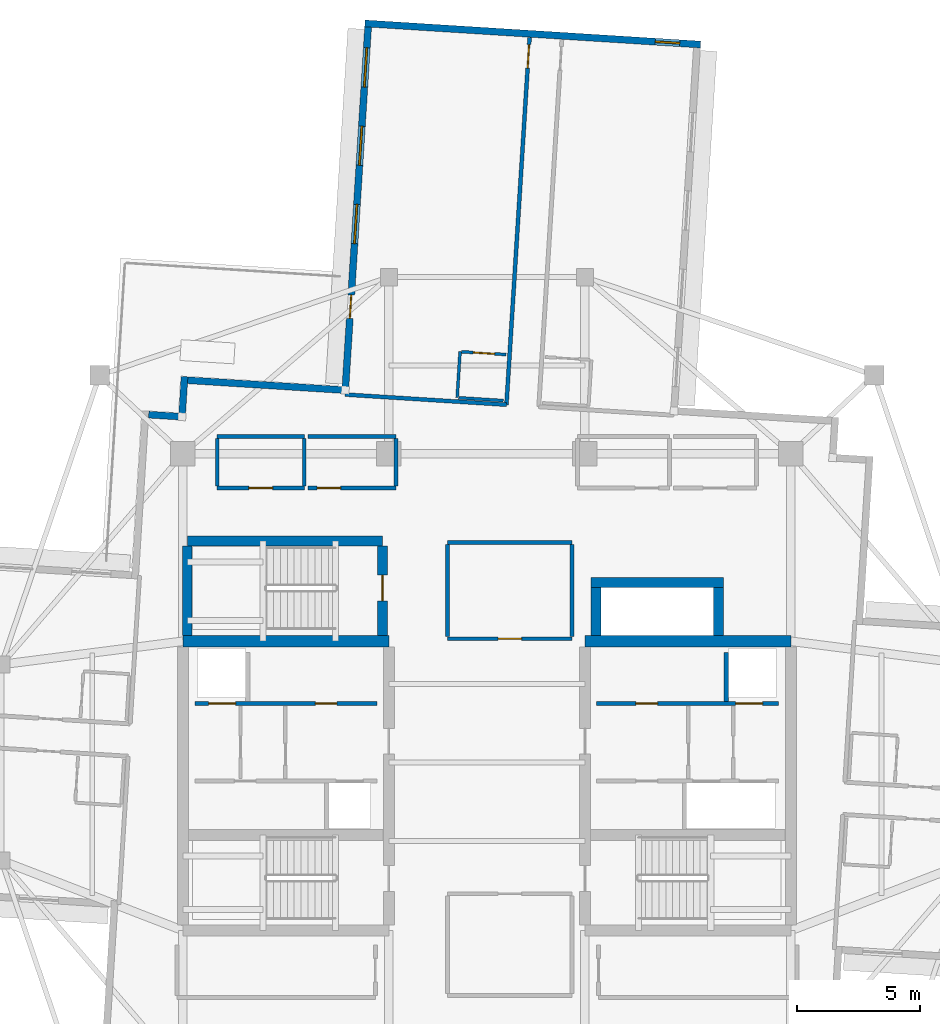
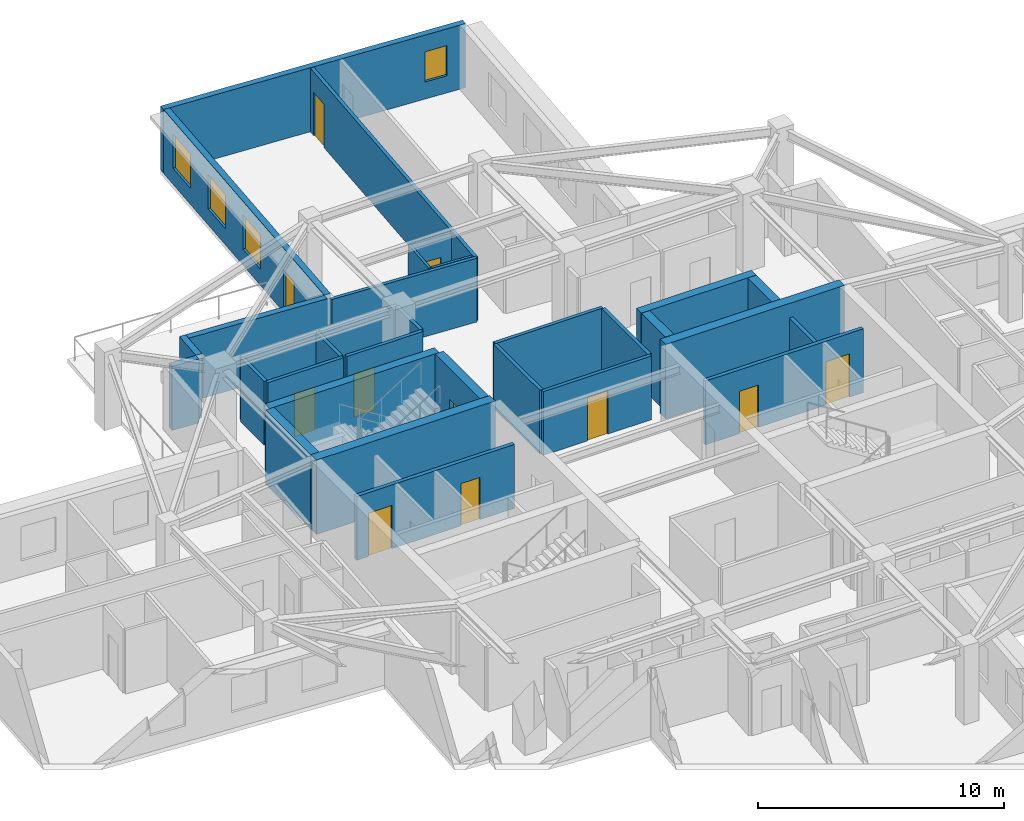
# One storey, part 7 of 12: 32 walls, 11 doors, 4 windows, 15 openings.
"""IFC4 building model written with IfcOpenShell, lengths in metres."""

from ifc_helpers import new_model, si_unit, direction, frame, frame_2d, origin, place, context, subcontext, project, spatial, rectangle, extrude, material, layer, layer_set, type_object, element, fill, save


model = new_model("IFC4")

# Units and contexts
model_context = context("Model", 3, precision=1e-05, world=origin(), true_north=direction((0.0, 1.0)))
body_context = subcontext(model_context, "Body", "Model", "MODEL_VIEW")
ifc_project = project(units=[si_unit("LENGTHUNIT", "METRE"), si_unit("AREAUNIT", "SQUARE_METRE"), si_unit("VOLUMEUNIT", "CUBIC_METRE"), si_unit("PLANEANGLEUNIT", "RADIAN"), si_unit("MASSUNIT", "GRAM", prefix="KILO")], contexts=[model_context])

# Site, building, storey
site_placement = place(None, origin())
site = spatial("IfcSite", under=ifc_project, at=site_placement, CompositionType="ELEMENT")
building_placement = place(site_placement, origin())
building = spatial("IfcBuilding", under=site, at=building_placement, Name="Qingluan Cross Belvedere", CompositionType="ELEMENT")
storey_placement = place(building_placement, frame((0.0, 0.0, 249.89990234375)))
storey = spatial("IfcBuildingStorey", under=building, at=storey_placement, Name="L62", CompositionType="ELEMENT", Elevation=249.89990234375)

# Walls
ifc_material_1 = material(Name="Concrete C50", Category="concrete")
ifc_layer_1 = layer(ifc_material_1, 0.449951171875, Name="CoreShearWall_450")
ifc_layer_set_1 = layer_set([ifc_layer_1], Name="Concrete C50")
wall_type_1 = type_object("IfcWallType", Name="CoreShearWall_450", PredefinedType="SHEAR", material=ifc_layer_set_1)
for number, where, z_axis, x_axis, name in (
    (1, (-12.39990234375, 4.949951171875, 0.0), (0.0, 0.0, 1.0), (1.0, 0.0, 0.0), "Split core W shear wall L62-N"),
    (2, (4.0, 4.949951171875, 0.0), (0.0, 0.0, 1.0), (1.0, 0.0, 0.0), "Split core E shear wall L62-N"),
):
    element("IfcWall", number, at=place(storey_placement, frame(where, z_axis=z_axis, x_axis=x_axis)), inside=storey, type_object=wall_type_1, Name=name, PredefinedType="SHEAR", context=body_context, shape_type="SweptSolid", body=[
        extrude(rectangle(XDim=8.39990234375, YDim=0.449951171875, at=frame_2d((4.199951171875, 0.0))), origin(), (0.0, 0.0, 1.0), 3.7001953125),
    ])
wall_1_placement = place(storey_placement, frame((-12.219970703125, 9.0400390625, 0.0), z_axis=(0.0, 0.0, 1.0), x_axis=(1.0, 0.0, 0.0)))
element("IfcWall", 3, at=wall_1_placement, inside=storey, type_object=wall_type_1, Name="Stair ST3 structural wall N L62", PredefinedType="SHEAR", context=body_context, shape_type="SweptSolid", body=[
    extrude(rectangle(XDim=7.9599609375, YDim=0.39990234375, at=frame_2d((3.97998046875, 0.0))), origin(), (0.0, 0.0, 1.0), 3.7001953125),
])
wall_2_placement = place(storey_placement, frame((-12.219970703125, 5.179931640625, 0.0), z_axis=(0.0, 0.0, 1.0), x_axis=(0.0, 1.0, 0.0)))
element("IfcWall", 4, at=wall_2_placement, inside=storey, type_object=wall_type_1, Name="Stair ST3 structural wall W L62", PredefinedType="SHEAR", context=body_context, shape_type="SweptSolid", body=[
    extrude(rectangle(XDim=3.655029296875, YDim=0.39990234375, at=frame_2d((1.82763671875, 0.0))), origin(), (0.0, 0.0, 1.0), 3.7001953125),
])

# Wall, opening, door
wall_3_placement = place(storey_placement, frame((-4.260009765625, 5.179931640625, 0.0), z_axis=(0.0, 0.0, 1.0), x_axis=(0.0, 1.0, 0.0)))
wall_3 = element("IfcWall", 5, at=wall_3_placement, inside=storey, type_object=wall_type_1, Name="Stair ST3 structural wall E L62", PredefinedType="SHEAR", context=body_context, shape_type="SweptSolid", body=[
    extrude(rectangle(XDim=3.655029296875, YDim=0.39990234375, at=frame_2d((1.82763671875, 0.0))), origin(), (0.0, 0.0, 1.0), 3.7001953125),
])
opening_1_placement = place(wall_3_placement, frame((1.419921875, 0.0, 0.0)))
opening_1 = element("IfcOpeningElement", 6, at=opening_1_placement, cuts=wall_3, Name="Opening FD-B11", PredefinedType="OPENING", context=body_context, shape_type="SweptSolid", body=[
    extrude(rectangle(XDim=1.050048828125, YDim=2.14990234375, at=frame_2d((0.52490234375, 1.074951171875))), frame((0.0, 0.2099609375, 0.0), z_axis=(0.0, -1.0, 0.0), x_axis=(1.0, 0.0, 0.0)), (0.0, 0.0, 1.0), 0.419921875),
])
ifc_material_2 = material(Name="Steel Class B smoke-seal fire door", Category="steel")
door_type_1 = type_object("IfcDoorType", Name="StairLobbyFireDoor_FDB", OperationType="NOTDEFINED", PredefinedType="DOOR", material=ifc_material_2)
door_1_placement = place(opening_1_placement, origin())
door_1 = element("IfcDoor", 7, at=door_1_placement, inside=storey, type_object=door_type_1, Name="Smoke-proof stair ST3 fire door L62", OperationType="SINGLE_SWING_RIGHT", OverallHeight=2.14990234375, OverallWidth=1.050048828125, PredefinedType="DOOR", context=body_context, shape_type="SweptSolid", body=[
    extrude(rectangle(XDim=1.050048828125, YDim=2.14990234375, at=frame_2d((0.52490234375, 1.074951171875))), frame((0.0, 0.02490234375, 0.0), z_axis=(0.0, -1.0, 0.0), x_axis=(1.0, 0.0, 0.0)), (0.0, 0.0, 1.0), 0.050048828125),
])
fill(opening_1, door_1)

# Walls
wall_4_placement = place(storey_placement, frame((4.449951171875, 5.179931640625, 0.0), z_axis=(0.0, 0.0, 1.0), x_axis=(0.0, 1.0, 0.0)))
element("IfcWall", 8, at=wall_4_placement, inside=storey, type_object=wall_type_1, Name="Express shuttle core wall L62-W", PredefinedType="SHEAR", context=body_context, shape_type="SweptSolid", body=[
    extrude(rectangle(XDim=1.9599609375, YDim=0.39990234375, at=frame_2d((0.97998046875, 0.0))), origin(), (0.0, 0.0, 1.0), 3.7001953125),
])
wall_5_placement = place(storey_placement, frame((4.25, 7.35009765625, 0.0), z_axis=(0.0, 0.0, 1.0), x_axis=(1.0, 0.0, 0.0)))
element("IfcWall", 9, at=wall_5_placement, inside=storey, type_object=wall_type_1, Name="Express shuttle core wall L62-N", PredefinedType="SHEAR", context=body_context, shape_type="SweptSolid", body=[
    extrude(rectangle(XDim=5.39990234375, YDim=0.39990234375, at=frame_2d((2.699951171875, 0.0))), origin(), (0.0, 0.0, 1.0), 3.7001953125),
])
wall_6_placement = place(storey_placement, frame((9.449951171875, 5.179931640625, 0.0), z_axis=(0.0, 0.0, 1.0), x_axis=(0.0, 1.0, 0.0)))
element("IfcWall", 10, at=wall_6_placement, inside=storey, type_object=wall_type_1, Name="Express shuttle core wall L62-E", PredefinedType="SHEAR", context=body_context, shape_type="SweptSolid", body=[
    extrude(rectangle(XDim=1.9599609375, YDim=0.39990234375, at=frame_2d((0.97998046875, 0.0))), origin(), (0.0, 0.0, 1.0), 3.7001953125),
])

# Wall, opening, door
ifc_material_3 = material(Name="Gypsum plasterboard on steel stud acoustic partition", Category="steel")
ifc_layer_2 = layer(ifc_material_3, 0.159912109375, Name="CorridorPartition_160")
ifc_layer_set_2 = layer_set([ifc_layer_2], Name="Gypsum plasterboard on steel stud acoustic partition")
wall_type_2 = type_object("IfcWallType", Name="CorridorPartition_160", PredefinedType="PARTITIONING", material=ifc_layer_set_2)
wall_7_placement = place(storey_placement, frame((-11.0, 11.199951171875, 0.0), z_axis=(0.0, 0.0, 1.0), x_axis=(1.0, 0.0, 0.0)))
wall_7 = element("IfcWall", 11, at=wall_7_placement, inside=storey, type_object=wall_type_2, Name="Partition L62:q_nw1:S", PredefinedType="PARTITIONING", context=body_context, shape_type="SweptSolid", body=[
    extrude(rectangle(XDim=3.550048828125, YDim=0.159912109375, at=frame_2d((1.77490234375, 0.0))), origin(), (0.0, 0.0, 1.0), 3.170166015625),
])
opening_2_placement = place(wall_7_placement, frame((1.294921875, 0.0, 0.0)))
opening_2 = element("IfcOpeningElement", 12, at=opening_2_placement, cuts=wall_7, Name="Opening GD-10", PredefinedType="OPENING", context=body_context, shape_type="SweptSolid", body=[
    extrude(rectangle(XDim=0.9599609375, YDim=2.14990234375, at=frame_2d((0.47998046875, 1.074951171875))), frame((0.0, 0.08984375, 0.0), z_axis=(0.0, -1.0, 0.0), x_axis=(1.0, 0.0, 0.0)), (0.0, 0.0, 1.0), 0.179931640625),
])
ifc_material_4 = material(Name="Timber oak fire-rated acoustic guestroom door", Category="wood")
door_type_2 = type_object("IfcDoorType", Name="GuestEntryDoor_FD60", OperationType="NOTDEFINED", PredefinedType="DOOR", material=ifc_material_4)
door_2_placement = place(opening_2_placement, origin())
door_2 = element("IfcDoor", 13, at=door_2_placement, inside=storey, type_object=door_type_2, Name="Northwest sky parlor L62 door", OperationType="SINGLE_SWING_RIGHT", OverallHeight=2.14990234375, OverallWidth=0.9599609375, PredefinedType="DOOR", context=body_context, shape_type="SweptSolid", body=[
    extrude(rectangle(XDim=0.9599609375, YDim=2.14990234375, at=frame_2d((0.47998046875, 1.074951171875))), frame((0.0, 0.02490234375, 0.0), z_axis=(0.0, -1.0, 0.0), x_axis=(1.0, 0.0, 0.0)), (0.0, 0.0, 1.0), 0.050048828125),
])
fill(opening_2, door_2)

# Walls
wall_8_placement = place(storey_placement, frame((-11.0, 13.300048828125, 0.0), z_axis=(0.0, 0.0, 1.0), x_axis=(1.0, 0.0, 0.0)))
element("IfcWall", 14, at=wall_8_placement, inside=storey, type_object=wall_type_2, Name="Partition L62:q_nw1:N", PredefinedType="PARTITIONING", context=body_context, shape_type="SweptSolid", body=[
    extrude(rectangle(XDim=3.550048828125, YDim=0.159912109375, at=frame_2d((1.77490234375, 0.0))), origin(), (0.0, 0.0, 1.0), 3.170166015625),
])
for number, where, z_axis, x_axis, name in (
    (15, (-11.0, 11.284912109375, 0.0), (0.0, 0.0, 1.0), (0.0, 1.0, 0.0), "Partition L62:q_nw1:W"),
    (16, (-7.449951171875, 11.284912109375, 0.0), (0.0, 0.0, 1.0), (0.0, 1.0, 0.0), "Partition L62:q_nw1:E"),
):
    element("IfcWall", number, at=place(storey_placement, frame(where, z_axis=z_axis, x_axis=x_axis)), inside=storey, type_object=wall_type_2, Name=name, PredefinedType="PARTITIONING", context=body_context, shape_type="SweptSolid", body=[
        extrude(rectangle(XDim=1.93017578125, YDim=0.159912109375, at=frame_2d((0.965087890625, 0.0))), origin(), (0.0, 0.0, 1.0), 3.170166015625),
    ])

# Wall, opening, door
wall_9_placement = place(storey_placement, frame((-7.2900390625, 11.199951171875, 0.0), z_axis=(0.0, 0.0, 1.0), x_axis=(1.0, 0.0, 0.0)))
wall_9 = element("IfcWall", 17, at=wall_9_placement, inside=storey, type_object=wall_type_2, Name="Partition L62:q_nw2:S", PredefinedType="PARTITIONING", context=body_context, shape_type="SweptSolid", body=[
    extrude(rectangle(XDim=3.590087890625, YDim=0.159912109375, at=frame_2d((1.794921875, 0.0))), origin(), (0.0, 0.0, 1.0), 3.170166015625),
])
opening_3_placement = place(wall_9_placement, frame((0.364990234375, 0.0, 0.0)))
opening_3 = element("IfcOpeningElement", 18, at=opening_3_placement, cuts=wall_9, Name="Opening GD-10", PredefinedType="OPENING", context=body_context, shape_type="SweptSolid", body=[
    extrude(rectangle(XDim=0.9599609375, YDim=2.14990234375, at=frame_2d((0.47998046875, 1.074951171875))), frame((0.0, 0.08984375, 0.0), z_axis=(0.0, -1.0, 0.0), x_axis=(1.0, 0.0, 0.0)), (0.0, 0.0, 1.0), 0.179931640625),
])
door_3_placement = place(opening_3_placement, origin())
door_3 = element("IfcDoor", 19, at=door_3_placement, inside=storey, type_object=door_type_2, Name="Northwest study salon L62 door", OperationType="SINGLE_SWING_LEFT", OverallHeight=2.14990234375, OverallWidth=0.9599609375, PredefinedType="DOOR", context=body_context, shape_type="SweptSolid", body=[
    extrude(rectangle(XDim=0.9599609375, YDim=2.14990234375, at=frame_2d((0.47998046875, 1.074951171875))), frame((0.0, 0.02490234375, 0.0), z_axis=(0.0, -1.0, 0.0), x_axis=(1.0, 0.0, 0.0)), (0.0, 0.0, 1.0), 0.050048828125),
])
fill(opening_3, door_3)

# Walls
wall_10_placement = place(storey_placement, frame((-7.2900390625, 13.300048828125, 0.0), z_axis=(0.0, 0.0, 1.0), x_axis=(1.0, 0.0, 0.0)))
element("IfcWall", 20, at=wall_10_placement, inside=storey, type_object=wall_type_2, Name="Partition L62:q_nw2:N", PredefinedType="PARTITIONING", context=body_context, shape_type="SweptSolid", body=[
    extrude(rectangle(XDim=3.590087890625, YDim=0.159912109375, at=frame_2d((1.794921875, 0.0))), origin(), (0.0, 0.0, 1.0), 3.170166015625),
])
wall_11_placement = place(storey_placement, frame((-3.699951171875, 11.284912109375, 0.0), z_axis=(0.0, 0.0, 1.0), x_axis=(0.0, 1.0, 0.0)))
element("IfcWall", 21, at=wall_11_placement, inside=storey, type_object=wall_type_2, Name="Partition L62:q_nw2:E", PredefinedType="PARTITIONING", context=body_context, shape_type="SweptSolid", body=[
    extrude(rectangle(XDim=1.93017578125, YDim=0.159912109375, at=frame_2d((0.965087890625, 0.0))), origin(), (0.0, 0.0, 1.0), 3.170166015625),
])

# Wall, opening, door
wall_12_placement = place(storey_placement, frame((-1.60009765625, 5.050048828125, 0.0), z_axis=(0.0, 0.0, 1.0), x_axis=(1.0, 0.0, 0.0)))
wall_12 = element("IfcWall", 22, at=wall_12_placement, inside=storey, type_object=wall_type_2, Name="Partition L62:sky_tea_alcove:S", PredefinedType="PARTITIONING", context=body_context, shape_type="SweptSolid", body=[
    extrude(rectangle(XDim=5.080078125, YDim=0.159912109375, at=frame_2d((2.5400390625, 0.0))), origin(), (0.0, 0.0, 1.0), 3.170166015625),
])
opening_4_placement = place(wall_12_placement, frame((2.06005859375, 0.0, 0.0)))
opening_4 = element("IfcOpeningElement", 23, at=opening_4_placement, cuts=wall_12, Name="Opening GD-10", PredefinedType="OPENING", context=body_context, shape_type="SweptSolid", body=[
    extrude(rectangle(XDim=0.9599609375, YDim=2.14990234375, at=frame_2d((0.47998046875, 1.074951171875))), frame((0.0, 0.08984375, 0.0), z_axis=(0.0, -1.0, 0.0), x_axis=(1.0, 0.0, 0.0)), (0.0, 0.0, 1.0), 0.179931640625),
])
door_4_placement = place(opening_4_placement, origin())
door_4 = element("IfcDoor", 24, at=door_4_placement, inside=storey, type_object=door_type_2, Name="Sky horizon tea salon L62 door", OperationType="SINGLE_SWING_LEFT", OverallHeight=2.14990234375, OverallWidth=0.9599609375, PredefinedType="DOOR", context=body_context, shape_type="SweptSolid", body=[
    extrude(rectangle(XDim=0.9599609375, YDim=2.14990234375, at=frame_2d((0.47998046875, 1.074951171875))), frame((0.0, 0.02490234375, 0.0), z_axis=(0.0, -1.0, 0.0), x_axis=(1.0, 0.0, 0.0)), (0.0, 0.0, 1.0), 0.050048828125),
])
fill(opening_4, door_4)

# Walls
wall_13_placement = place(storey_placement, frame((-1.60009765625, 8.97998046875, 0.0), z_axis=(0.0, 0.0, 1.0), x_axis=(1.0, 0.0, 0.0)))
element("IfcWall", 25, at=wall_13_placement, inside=storey, type_object=wall_type_2, Name="Partition L62:sky_tea_alcove:N", PredefinedType="PARTITIONING", context=body_context, shape_type="SweptSolid", body=[
    extrude(rectangle(XDim=5.080078125, YDim=0.159912109375, at=frame_2d((2.5400390625, 0.0))), origin(), (0.0, 0.0, 1.0), 3.170166015625),
])
for number, where, z_axis, x_axis, name in (
    (26, (-1.60009765625, 5.135009765625, 0.0), (0.0, 0.0, 1.0), (0.0, 1.0, 0.0), "Partition L62:sky_tea_alcove:W"),
    (27, (3.47998046875, 5.135009765625, 0.0), (0.0, 0.0, 1.0), (0.0, 1.0, 0.0), "Partition L62:sky_tea_alcove:E"),
):
    element("IfcWall", number, at=place(storey_placement, frame(where, z_axis=z_axis, x_axis=x_axis)), inside=storey, type_object=wall_type_2, Name=name, PredefinedType="PARTITIONING", context=body_context, shape_type="SweptSolid", body=[
        extrude(rectangle(XDim=3.760009765625, YDim=0.159912109375, at=frame_2d((1.8798828125, 0.0))), origin(), (0.0, 0.0, 1.0), 3.170166015625),
    ])

# Wall, opening, door
wall_14_placement = place(storey_placement, frame((0.798095703125, 14.5986328125, 0.0), z_axis=(0.0, 0.0, 1.0), x_axis=(0.062791373209, 0.998026674719, 0.0)))
wall_14 = element("IfcWall", 28, at=wall_14_placement, inside=storey, type_object=wall_type_2, Name="Partition L62:N:c1", PredefinedType="PARTITIONING", context=body_context, shape_type="SweptSolid", body=[
    extrude(rectangle(XDim=15.011962890625, YDim=0.159912109375, at=frame_2d((7.505859375, 0.0))), origin(), (0.0, 0.0, 1.0), 3.170166015625),
])
opening_5_placement = place(wall_14_placement, frame((13.760009765625, 0.0, 0.0)))
opening_5 = element("IfcOpeningElement", 29, at=opening_5_placement, cuts=wall_14, Name="Opening GD-10", PredefinedType="OPENING", context=body_context, shape_type="SweptSolid", body=[
    extrude(rectangle(XDim=0.9599609375, YDim=2.14990234375, at=frame_2d((0.47998046875, 1.074951171875))), frame((0.0, 0.08984375, 0.0), z_axis=(0.0, -1.0, 0.0), x_axis=(1.0, 0.0, 0.0)), (0.0, 0.0, 1.0), 0.179931640625),
])
door_5_placement = place(opening_5_placement, origin())
door_5 = element("IfcDoor", 30, at=door_5_placement, inside=storey, type_object=door_type_2, Name="Guest entry fire door 6210", OperationType="SINGLE_SWING_LEFT", OverallHeight=2.14990234375, OverallWidth=0.9599609375, PredefinedType="DOOR", context=body_context, shape_type="SweptSolid", body=[
    extrude(rectangle(XDim=0.9599609375, YDim=2.14990234375, at=frame_2d((0.47998046875, 1.074951171875))), frame((0.0, 0.02490234375, 0.0), z_axis=(0.0, -1.0, 0.0), x_axis=(1.0, 0.0, 0.0)), (0.0, 0.0, 1.0), 0.050048828125),
])
fill(opening_5, door_5)

# Wall
wall_15_placement = place(storey_placement, frame((0.798095703125, 14.5986328125, 0.0), z_axis=(0.0, 0.0, 1.0), x_axis=(-0.998025424787, 0.06281123689, 0.0)))
element("IfcWall", 31, at=wall_15_placement, inside=storey, type_object=wall_type_2, Name="Partition L62:N:s1", PredefinedType="PARTITIONING", context=body_context, shape_type="SweptSolid", body=[
    extrude(rectangle(XDim=6.599853515625, YDim=0.159912109375, at=frame_2d((3.2998046875, 0.0))), origin(), (0.0, 0.0, 1.0), 3.170166015625),
])

# Wall, opening, door
ifc_material_5 = material(Name="Moisture-resistant gypsum board lining")
ifc_layer_3 = layer(ifc_material_5, 0.1201171875, Name="EnsuiteWetPartition_120")
ifc_layer_set_3 = layer_set([ifc_layer_3], Name="Moisture-resistant gypsum board lining")
wall_type_3 = type_object("IfcWallType", Name="EnsuiteWetPartition_120", PredefinedType="PARTITIONING", material=ifc_layer_set_3)
wall_16_placement = place(storey_placement, frame((-1.02978515625, 16.7578125, 0.0), z_axis=(0.0, 0.0, 1.0), x_axis=(0.998027443946, -0.062779145668, 0.0)))
wall_16 = element("IfcWall", 32, at=wall_16_placement, inside=storey, type_object=wall_type_3, Name="Partition L62:N:bs1_0", PredefinedType="PARTITIONING", context=body_context, shape_type="SweptSolid", body=[
    extrude(rectangle(XDim=1.820068359375, YDim=0.1201171875, at=frame_2d((0.91015625, 0.0))), origin(), (0.0, 0.0, 1.0), 3.170166015625),
])
opening_6_placement = place(wall_16_placement, frame((0.469970703125, 0.0, 0.0)))
opening_6 = element("IfcOpeningElement", 33, at=opening_6_placement, cuts=wall_16, Name="Opening BD-09", PredefinedType="OPENING", context=body_context, shape_type="SweptSolid", body=[
    extrude(rectangle(XDim=0.8798828125, YDim=2.10009765625, at=frame_2d((0.43994140625, 1.050048828125))), frame((0.0, 0.070068359375, 0.0), z_axis=(0.0, -1.0, 0.0), x_axis=(1.0, 0.0, 0.0)), (0.0, 0.0, 1.0), 0.14013671875),
])
ifc_material_6 = material(Name="Moisture-sealed timber en-suite door", Category="wood")
door_type_3 = type_object("IfcDoorType", Name="BathroomDoor_880", OperationType="NOTDEFINED", PredefinedType="DOOR", material=ifc_material_6)
door_6_placement = place(opening_6_placement, origin())
door_6 = element("IfcDoor", 34, at=door_6_placement, inside=storey, type_object=door_type_3, Name="Bathroom door 6210", OperationType="SINGLE_SWING_RIGHT", OverallHeight=2.10009765625, OverallWidth=0.8798828125, PredefinedType="DOOR", context=body_context, shape_type="SweptSolid", body=[
    extrude(rectangle(XDim=0.8798828125, YDim=2.10009765625, at=frame_2d((0.43994140625, 1.050048828125))), frame((0.0, 0.02490234375, 0.0), z_axis=(0.0, -1.0, 0.0), x_axis=(1.0, 0.0, 0.0)), (0.0, 0.0, 1.0), 0.050048828125),
])
fill(opening_6, door_6)

# Walls
wall_17_placement = place(storey_placement, frame((-1.14794921875, 14.88134765625, 0.0), z_axis=(0.0, 0.0, 1.0), x_axis=(0.998027972529, -0.062770741989, 0.0)))
element("IfcWall", 35, at=wall_17_placement, inside=storey, type_object=wall_type_3, Name="Partition L62:N:bw1_0", PredefinedType="PARTITIONING", context=body_context, shape_type="SweptSolid", body=[
    extrude(rectangle(XDim=1.8203125, YDim=0.1201171875, at=frame_2d((0.91015625, 0.0))), origin(), (0.0, 0.0, 1.0), 3.170166015625),
])
wall_18_placement = place(storey_placement, frame((-1.212646484375, 14.885498046875, 0.0), z_axis=(0.0, 0.0, 1.0), x_axis=(0.062725942896, 0.998030789148, 0.0)))
element("IfcWall", 36, at=wall_18_placement, inside=storey, type_object=wall_type_3, Name="Partition L62:N:bc1_0", PredefinedType="PARTITIONING", context=body_context, shape_type="SweptSolid", body=[
    extrude(rectangle(XDim=1.8798828125, YDim=0.1201171875, at=frame_2d((0.93994140625, 0.0))), origin(), (0.0, 0.0, 1.0), 3.170166015625),
])

# Wall, openings, windows, door
ifc_material_7 = material(Name="Precast concrete C45", Category="concrete")
ifc_layer_4 = layer(ifc_material_7, 0.280029296875, Name="PrecastFacadeWall_280")
ifc_layer_set_4 = layer_set([ifc_layer_4], Name="Precast concrete C45")
wall_type_4 = type_object("IfcWallType", Name="PrecastFacadeWall_280", PredefinedType="STANDARD", material=ifc_layer_set_4)
wall_19_placement = place(storey_placement, frame((-4.845703125, 30.00341796875, 0.0), z_axis=(0.0, 0.0, 1.0), x_axis=(-0.062779465852, -0.998027423805, 0.0)))
wall_19 = element("IfcWall", 37, at=wall_19_placement, inside=storey, type_object=wall_type_4, Name="Facade wall L62-NB", PredefinedType="STANDARD", context=body_context, shape_type="SweptSolid", body=[
    extrude(rectangle(XDim=14.699951171875, YDim=0.280029296875, at=frame_2d((7.35009765625, 0.0))), origin(), (0.0, 0.0, 1.0), 3.18017578125),
])
opening_7_placement = place(wall_19_placement, frame((0.85009765625, 0.0, 0.800048828125)))
opening_7 = element("IfcOpeningElement", 38, at=opening_7_placement, cuts=wall_19, Name="Opening W-04", PredefinedType="OPENING", context=body_context, shape_type="SweptSolid", body=[
    extrude(rectangle(XDim=1.60009765625, YDim=1.699951171875, at=frame_2d((0.800048828125, 0.85009765625))), frame((0.0, 0.14990234375, 0.0), z_axis=(0.0, -1.0, 0.0), x_axis=(1.0, 0.0, 0.0)), (0.0, 0.0, 1.0), 0.300048828125),
])
opening_8_placement = place(wall_19_placement, frame((4.050048828125, 0.0, 0.800048828125)))
opening_8 = element("IfcOpeningElement", 39, at=opening_8_placement, cuts=wall_19, Name="Opening W-04", PredefinedType="OPENING", context=body_context, shape_type="SweptSolid", body=[
    extrude(rectangle(XDim=1.60009765625, YDim=1.699951171875, at=frame_2d((0.800048828125, 0.85009765625))), frame((0.0, 0.14990234375, 0.0), z_axis=(0.0, -1.0, 0.0), x_axis=(1.0, 0.0, 0.0)), (0.0, 0.0, 1.0), 0.300048828125),
])
opening_9_placement = place(wall_19_placement, frame((7.25, 0.0, 0.800048828125)))
opening_9 = element("IfcOpeningElement", 40, at=opening_9_placement, cuts=wall_19, Name="Opening W-04", PredefinedType="OPENING", context=body_context, shape_type="SweptSolid", body=[
    extrude(rectangle(XDim=1.60009765625, YDim=1.699951171875, at=frame_2d((0.800048828125, 0.85009765625))), frame((0.0, 0.14990234375, 0.0), z_axis=(0.0, -1.0, 0.0), x_axis=(1.0, 0.0, 0.0)), (0.0, 0.0, 1.0), 0.300048828125),
])
opening_10_placement = place(wall_19_placement, frame((10.949951171875, 0.0, 0.0)))
opening_10 = element("IfcOpeningElement", 41, at=opening_10_placement, cuts=wall_19, Name="Opening WD-10", PredefinedType="OPENING", context=body_context, shape_type="SweptSolid", body=[
    extrude(rectangle(XDim=0.9599609375, YDim=2.10009765625, at=frame_2d((0.47998046875, 1.050048828125))), frame((0.0, 0.14990234375, 0.0), z_axis=(0.0, -1.0, 0.0), x_axis=(1.0, 0.0, 0.0)), (0.0, 0.0, 1.0), 0.300048828125),
])
ifc_material_8 = material(Name="Thermally broken triple Low-E glass in aluminium frame", Category="aluminium")
window_type_1 = type_object("IfcWindowType", Name="SuiteCornerWin_1600x1700", PartitioningType="SINGLE_PANEL", PredefinedType="WINDOW", material=ifc_material_8)
window_1_placement = place(opening_7_placement, origin())
window_1 = element("IfcWindow", 42, at=window_1_placement, inside=storey, type_object=window_type_1, Name="Ribbon window L62-NB-1", OverallHeight=1.699951171875, OverallWidth=1.60009765625, PartitioningType="SINGLE_PANEL", PredefinedType="WINDOW", context=body_context, shape_type="SweptSolid", body=[
    extrude(rectangle(XDim=1.60009765625, YDim=1.699951171875, at=frame_2d((0.800048828125, 0.85009765625))), frame((0.0, 0.030029296875, 0.0), z_axis=(0.0, -1.0, 0.0), x_axis=(1.0, 0.0, 0.0)), (0.0, 0.0, 1.0), 0.06005859375),
])
fill(opening_7, window_1)
window_2_placement = place(opening_8_placement, origin())
window_2 = element("IfcWindow", 43, at=window_2_placement, inside=storey, type_object=window_type_1, Name="Ribbon window L62-NB-2", OverallHeight=1.699951171875, OverallWidth=1.60009765625, PartitioningType="SINGLE_PANEL", PredefinedType="WINDOW", context=body_context, shape_type="SweptSolid", body=[
    extrude(rectangle(XDim=1.60009765625, YDim=1.699951171875, at=frame_2d((0.800048828125, 0.85009765625))), frame((0.0, 0.030029296875, 0.0), z_axis=(0.0, -1.0, 0.0), x_axis=(1.0, 0.0, 0.0)), (0.0, 0.0, 1.0), 0.06005859375),
])
fill(opening_8, window_2)
window_3_placement = place(opening_9_placement, origin())
window_3 = element("IfcWindow", 44, at=window_3_placement, inside=storey, type_object=window_type_1, Name="Ribbon window L62-NB-3", OverallHeight=1.699951171875, OverallWidth=1.60009765625, PartitioningType="SINGLE_PANEL", PredefinedType="WINDOW", context=body_context, shape_type="SweptSolid", body=[
    extrude(rectangle(XDim=1.60009765625, YDim=1.699951171875, at=frame_2d((0.800048828125, 0.85009765625))), frame((0.0, 0.030029296875, 0.0), z_axis=(0.0, -1.0, 0.0), x_axis=(1.0, 0.0, 0.0)), (0.0, 0.0, 1.0), 0.06005859375),
])
fill(opening_9, window_3)
ifc_material_9 = material(Name="Thermally broken aluminium and Low-E glass", Category="aluminium")
door_type_4 = type_object("IfcDoorType", Name="WinterGardenDoor_096", OperationType="NOTDEFINED", PredefinedType="DOOR", material=ifc_material_9)
door_7_placement = place(opening_10_placement, origin())
door_7 = element("IfcDoor", 45, at=door_7_placement, inside=storey, type_object=door_type_4, Name="Outdoor terrace access door L62-spi", OperationType="SINGLE_SWING_LEFT", OverallHeight=2.10009765625, OverallWidth=0.9599609375, PredefinedType="DOOR", context=body_context, shape_type="SweptSolid", body=[
    extrude(rectangle(XDim=0.9599609375, YDim=2.10009765625, at=frame_2d((0.47998046875, 1.050048828125))), frame((0.0, 0.02490234375, 0.0), z_axis=(0.0, -1.0, 0.0), x_axis=(1.0, 0.0, 0.0)), (0.0, 0.0, 1.0), 0.050048828125),
])
fill(opening_10, door_7)

# Wall, opening, window
wall_20_placement = place(storey_placement, frame((8.71630859375, 29.29052734375, 0.0), z_axis=(0.0, 0.0, 1.0), x_axis=(-0.998026318072, 0.062797041623, 0.0)))
wall_20 = element("IfcWall", 46, at=wall_20_placement, inside=storey, type_object=wall_type_4, Name="Arm tip precast facade wall L62-N", PredefinedType="STANDARD", context=body_context, shape_type="SweptSolid", body=[
    extrude(rectangle(XDim=13.719970703125, YDim=0.280029296875, at=frame_2d((6.85986328125, 0.0))), origin(), (0.0, 0.0, 1.0), 3.18017578125),
])
opening_11_placement = place(wall_20_placement, frame((0.85009765625, 0.0, 0.85009765625)))
opening_11 = element("IfcOpeningElement", 47, at=opening_11_placement, cuts=wall_20, Name="Opening W-03", PredefinedType="OPENING", context=body_context, shape_type="SweptSolid", body=[
    extrude(rectangle(XDim=1.0, YDim=1.5, at=frame_2d((0.5, 0.75))), frame((0.0, 0.14990234375, 0.0), z_axis=(0.0, -1.0, 0.0), x_axis=(1.0, 0.0, 0.0)), (0.0, 0.0, 1.0), 0.300048828125),
])
ifc_material_10 = material(Name="Thermally broken triple Low-E glass in aluminium frame", Category="aluminium")
window_type_2 = type_object("IfcWindowType", Name="TriApexWin_1000x1500", PartitioningType="SINGLE_PANEL", PredefinedType="WINDOW", material=ifc_material_10)
window_4_placement = place(opening_11_placement, origin())
window_4 = element("IfcWindow", 48, at=window_4_placement, inside=storey, type_object=window_type_2, Name="Arm tip triangular window L62-N", OverallHeight=1.5, OverallWidth=1.0, PartitioningType="SINGLE_PANEL", PredefinedType="WINDOW", context=body_context, shape_type="SweptSolid", body=[
    extrude(rectangle(XDim=1.0, YDim=1.5, at=frame_2d((0.5, 0.75))), frame((0.0, 0.030029296875, 0.0), z_axis=(0.0, -1.0, 0.0), x_axis=(1.0, 0.0, 0.0)), (0.0, 0.0, 1.0), 0.06005859375),
])
fill(opening_11, window_4)

# Walls
wall_21_placement = place(storey_placement, frame((-13.7958984375, 14.1943359375, 0.0), z_axis=(0.0, 0.0, 1.0), x_axis=(0.998023660242, -0.06283926796, 0.0)))
element("IfcWall", 49, at=wall_21_placement, inside=storey, type_object=wall_type_4, Name="Corner wall L62-NW2", PredefinedType="STANDARD", context=body_context, shape_type="SweptSolid", body=[
    extrude(rectangle(XDim=1.219970703125, YDim=0.280029296875, at=frame_2d((0.60986328125, 0.0))), origin(), (0.0, 0.0, 1.0), 3.18017578125),
])
wall_22_placement = place(storey_placement, frame((-12.429931640625, 14.24853515625, 0.0), z_axis=(0.0, 0.0, 1.0), x_axis=(0.062824119533, 0.998024613927, 0.0)))
element("IfcWall", 50, at=wall_22_placement, inside=storey, type_object=wall_type_4, Name="Corner wall L62-NW3", PredefinedType="STANDARD", context=body_context, shape_type="SweptSolid", body=[
    extrude(rectangle(XDim=1.5, YDim=0.280029296875, at=frame_2d((0.75, 0.0))), origin(), (0.0, 0.0, 1.0), 3.18017578125),
])
wall_23_placement = place(storey_placement, frame((-12.20458984375, 15.59716796875, 0.0), z_axis=(0.0, 0.0, 1.0), x_axis=(0.998024885752, -0.062819801181, 0.0)))
element("IfcWall", 51, at=wall_23_placement, inside=storey, type_object=wall_type_4, Name="Corner wall L62-NW4", PredefinedType="STANDARD", context=body_context, shape_type="SweptSolid", body=[
    extrude(rectangle(XDim=6.2998046875, YDim=0.280029296875, at=frame_2d((3.14990234375, 0.0))), origin(), (0.0, 0.0, 1.0), 3.18017578125),
])

# Wall, openings, doors
ifc_material_11 = material(Name="Concrete C40", Category="concrete")
ifc_layer_5 = layer(ifc_material_11, 0.219970703125, Name="ShaftEnclosureWall_250")
ifc_layer_set_5 = layer_set([ifc_layer_5], Name="Concrete C40")
wall_type_5 = type_object("IfcWallType", Name="ShaftEnclosureWall_250", PredefinedType="SOLIDWALL", material=ifc_layer_set_5)
wall_24_placement = place(storey_placement, frame((-11.89990234375, 2.409912109375, 0.0), z_axis=(0.0, 0.0, 1.0), x_axis=(1.0, 0.0, 0.0)))
wall_24 = element("IfcWall", 52, at=wall_24_placement, inside=storey, type_object=wall_type_5, Name="Core-W north hoistway wall L62", PredefinedType="SOLIDWALL", context=body_context, shape_type="SweptSolid", body=[
    extrude(rectangle(XDim=7.419921875, YDim=0.179931640625, at=frame_2d((3.7099609375, 0.0))), origin(), (0.0, 0.0, 1.0), 3.170166015625),
])
opening_12_placement = place(wall_24_placement, frame((0.550048828125, 0.0, 0.0)))
opening_12 = element("IfcOpeningElement", 53, at=opening_12_placement, cuts=wall_24, Name="Opening LD-11", PredefinedType="OPENING", context=body_context, shape_type="SweptSolid", body=[
    extrude(rectangle(XDim=1.10009765625, YDim=2.14990234375, at=frame_2d((0.550048828125, 1.074951171875))), frame((0.0, 0.099853515625, 0.0), z_axis=(0.0, -1.0, 0.0), x_axis=(1.0, 0.0, 0.0)), (0.0, 0.0, 1.0), 0.199951171875),
])
opening_13_placement = place(wall_24_placement, frame((4.89990234375, 0.0, 0.0)))
opening_13 = element("IfcOpeningElement", 54, at=opening_13_placement, cuts=wall_24, Name="Opening FD-B10", PredefinedType="OPENING", context=body_context, shape_type="SweptSolid", body=[
    extrude(rectangle(XDim=0.8798828125, YDim=2.10009765625, at=frame_2d((0.43994140625, 1.050048828125))), frame((0.0, 0.099853515625, 0.0), z_axis=(0.0, -1.0, 0.0), x_axis=(1.0, 0.0, 0.0)), (0.0, 0.0, 1.0), 0.199951171875),
])
ifc_material_12 = material(Name="Brushed stainless steel centre-opening lift landing door", Category="steel")
door_type_5 = type_object("IfcDoorType", Name="LiftLandingSlidingDoor_1100", OperationType="DOUBLE_DOOR_SLIDING", PredefinedType="DOOR", material=ifc_material_12)
door_8_placement = place(opening_12_placement, origin())
door_8 = element("IfcDoor", 55, at=door_8_placement, inside=storey, type_object=door_type_5, Name="Lift landing sliding door FL1 L62", OperationType="DOUBLE_DOOR_SLIDING", OverallHeight=2.14990234375, OverallWidth=1.10009765625, PredefinedType="DOOR", context=body_context, shape_type="SweptSolid", body=[
    extrude(rectangle(XDim=1.10009765625, YDim=2.14990234375, at=frame_2d((0.550048828125, 1.074951171875))), frame((0.0, 0.02490234375, 0.0), z_axis=(0.0, -1.0, 0.0), x_axis=(1.0, 0.0, 0.0)), (0.0, 0.0, 1.0), 0.050048828125),
])
fill(opening_12, door_8)
ifc_material_13 = material(Name="Steel Class B service fire door", Category="steel")
door_type_6 = type_object("IfcDoorType", Name="RiserServiceFireDoor_FDB", OperationType="NOTDEFINED", PredefinedType="DOOR", material=ifc_material_13)
door_9_placement = place(opening_13_placement, origin())
door_9 = element("IfcDoor", 56, at=door_9_placement, inside=storey, type_object=door_type_6, Name="Housekeeping supply room door W L62", OperationType="SINGLE_SWING_LEFT", OverallHeight=2.10009765625, OverallWidth=0.8798828125, PredefinedType="DOOR", context=body_context, shape_type="SweptSolid", body=[
    extrude(rectangle(XDim=0.8798828125, YDim=2.10009765625, at=frame_2d((0.43994140625, 1.050048828125))), frame((0.0, 0.02490234375, 0.0), z_axis=(0.0, -1.0, 0.0), x_axis=(1.0, 0.0, 0.0)), (0.0, 0.0, 1.0), 0.050048828125),
])
fill(opening_13, door_9)

wall_25_placement = place(storey_placement, frame((4.47998046875, 2.409912109375, 0.0), z_axis=(0.0, 0.0, 1.0), x_axis=(1.0, 0.0, 0.0)))
wall_25 = element("IfcWall", 57, at=wall_25_placement, inside=storey, type_object=wall_type_5, Name="Core-E north hoistway wall L62", PredefinedType="SOLIDWALL", context=body_context, shape_type="SweptSolid", body=[
    extrude(rectangle(XDim=7.419921875, YDim=0.179931640625, at=frame_2d((3.7099609375, 0.0))), origin(), (0.0, 0.0, 1.0), 3.170166015625),
])
opening_14_placement = place(wall_25_placement, frame((5.669921875, 0.0, 0.0)))
opening_14 = element("IfcOpeningElement", 58, at=opening_14_placement, cuts=wall_25, Name="Opening LD-11", PredefinedType="OPENING", context=body_context, shape_type="SweptSolid", body=[
    extrude(rectangle(XDim=1.10009765625, YDim=2.14990234375, at=frame_2d((0.550048828125, 1.074951171875))), frame((0.0, 0.099853515625, 0.0), z_axis=(0.0, -1.0, 0.0), x_axis=(1.0, 0.0, 0.0)), (0.0, 0.0, 1.0), 0.199951171875),
])
opening_15_placement = place(wall_25_placement, frame((1.60009765625, 0.0, 0.0)))
opening_15 = element("IfcOpeningElement", 59, at=opening_15_placement, cuts=wall_25, Name="Opening FD-B10", PredefinedType="OPENING", context=body_context, shape_type="SweptSolid", body=[
    extrude(rectangle(XDim=0.8798828125, YDim=2.10009765625, at=frame_2d((0.43994140625, 1.050048828125))), frame((0.0, 0.099853515625, 0.0), z_axis=(0.0, -1.0, 0.0), x_axis=(1.0, 0.0, 0.0)), (0.0, 0.0, 1.0), 0.199951171875),
])
door_10_placement = place(opening_14_placement, origin())
door_10 = element("IfcDoor", 60, at=door_10_placement, inside=storey, type_object=door_type_5, Name="Lift landing sliding door FL2 L62", OperationType="DOUBLE_DOOR_SLIDING", OverallHeight=2.14990234375, OverallWidth=1.10009765625, PredefinedType="DOOR", context=body_context, shape_type="SweptSolid", body=[
    extrude(rectangle(XDim=1.10009765625, YDim=2.14990234375, at=frame_2d((0.550048828125, 1.074951171875))), frame((0.0, 0.02490234375, 0.0), z_axis=(0.0, -1.0, 0.0), x_axis=(1.0, 0.0, 0.0)), (0.0, 0.0, 1.0), 0.050048828125),
])
fill(opening_14, door_10)
door_11_placement = place(opening_15_placement, origin())
door_11 = element("IfcDoor", 61, at=door_11_placement, inside=storey, type_object=door_type_6, Name="Pantry room door E L62", OperationType="SINGLE_SWING_RIGHT", OverallHeight=2.10009765625, OverallWidth=0.8798828125, PredefinedType="DOOR", context=body_context, shape_type="SweptSolid", body=[
    extrude(rectangle(XDim=0.8798828125, YDim=2.10009765625, at=frame_2d((0.43994140625, 1.050048828125))), frame((0.0, 0.02490234375, 0.0), z_axis=(0.0, -1.0, 0.0), x_axis=(1.0, 0.0, 0.0)), (0.0, 0.0, 1.0), 0.050048828125),
])
fill(opening_15, door_11)

# Wall
wall_26_placement = place(storey_placement, frame((9.760009765625, 2.5, 0.0), z_axis=(0.0, 0.0, 1.0), x_axis=(0.0, 1.0, 0.0)))
element("IfcWall", 62, at=wall_26_placement, inside=storey, type_object=wall_type_5, Name="Hoistway enclosure divider FL2W L62", PredefinedType="SOLIDWALL", context=body_context, shape_type="SweptSolid", body=[
    extrude(rectangle(XDim=1.989990234375, YDim=0.179931640625, at=frame_2d((0.9951171875, 0.0))), origin(), (0.0, 0.0, 1.0), 3.170166015625),
])

save(model, "model.ifc")
